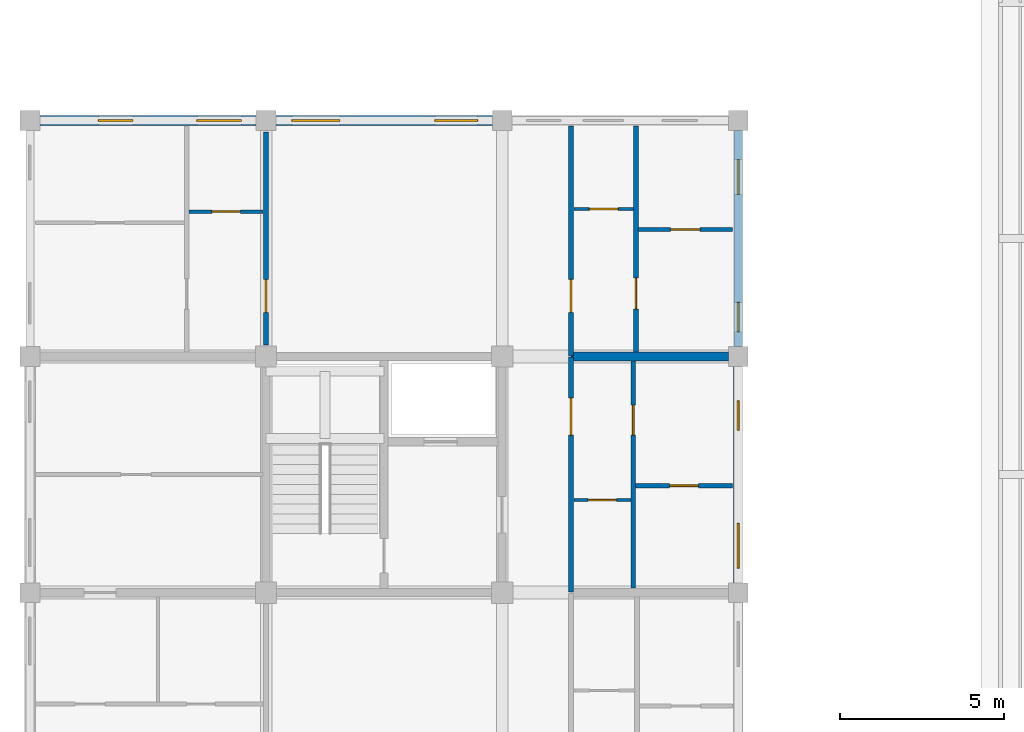
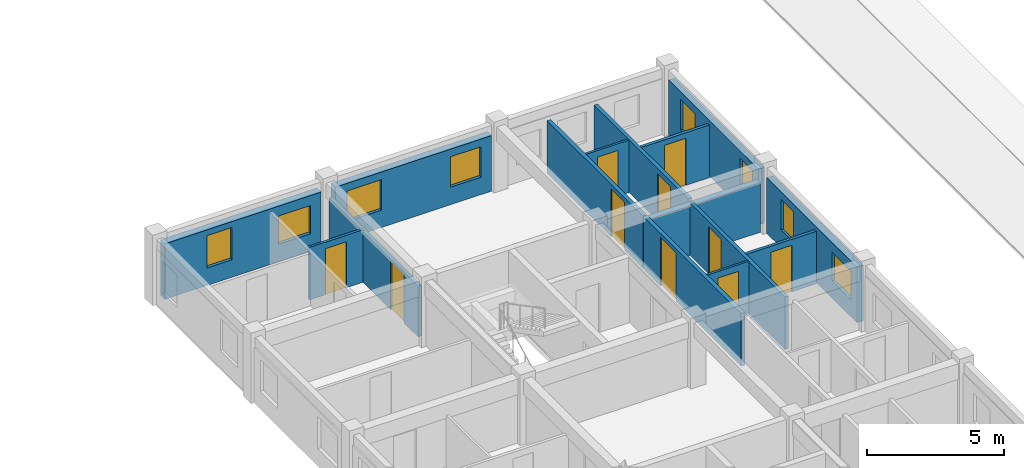
# One storey, part 27 of 50: 15 walls, 10 doors, 8 windows, 18 openings.
"""IFC4 building model written with IfcOpenShell, lengths in metres."""

from ifc_helpers import new_model, si_unit, direction, frame, frame_2d, origin, place, context, subcontext, project, spatial, rectangle, extrude, material, layer, layer_set, type_object, element, fill, save


model = new_model("IFC4")

# Units and contexts
model_context = context("Model", 3, precision=1e-05, world=origin(), true_north=direction((0.0, 1.0)))
body_context = subcontext(model_context, "Body", "Model", "MODEL_VIEW")
ifc_project = project(units=[si_unit("LENGTHUNIT", "METRE"), si_unit("AREAUNIT", "SQUARE_METRE"), si_unit("VOLUMEUNIT", "CUBIC_METRE"), si_unit("PLANEANGLEUNIT", "RADIAN"), si_unit("MASSUNIT", "GRAM", prefix="KILO"), si_unit("THERMODYNAMICTEMPERATUREUNIT", "KELVIN"), si_unit("POWERUNIT", "WATT")], contexts=[model_context])

# Site, building, storey
site_placement = place(None, origin())
site = spatial("IfcSite", under=ifc_project, at=site_placement, CompositionType="ELEMENT")
building_placement = place(site_placement, origin())
building = spatial("IfcBuilding", under=site, at=building_placement, Name="Tavuni Mirador Residences", CompositionType="ELEMENT")
storey_placement = place(building_placement, frame((0.0, 0.0, 4.5)))
storey = spatial("IfcBuildingStorey", under=building, at=storey_placement, Name="L01", CompositionType="ELEMENT", Elevation=4.5)

# Wall, opening, door
ifc_material_1 = material(Name="Precast concrete C40/50", Category="concrete")
ifc_layer_1 = layer(ifc_material_1, 0.1650390625, Name="Precast concrete C40/50", Category="concrete")
ifc_layer_set_1 = layer_set([ifc_layer_1], Name="Precast concrete C40/50")
wall_type_1 = type_object("IfcWallType", Name="WT-CORR165", PredefinedType="PARTITIONING", material=ifc_layer_set_1)
wall_1_placement = place(storey_placement, frame((20.10009765625, 86.419921875, 0.0), z_axis=(0.0, 0.0, 1.0), x_axis=(0.0, 1.0, 0.0)))
wall_1 = element("IfcWall", 1, at=wall_1_placement, inside=storey, type_object=wall_type_1, Name="CORW-BLK-B-L01-0-03", PredefinedType="PARTITIONING", context=body_context, shape_type="SweptSolid", body=[
    extrude(rectangle(XDim=7.16015625, YDim=0.1650390625, at=frame_2d((3.580078125, 0.0))), origin(), (0.0, 0.0, 1.0), 2.344970703125),
])
opening_1_placement = place(wall_1_placement, frame((4.780029296875, 0.0, 0.0)))
opening_1 = element("IfcOpeningElement", 2, at=opening_1_placement, cuts=wall_1, Name="Opening D-20", PredefinedType="OPENING", context=body_context, shape_type="SweptSolid", body=[
    extrude(rectangle(XDim=1.139892578125, YDim=2.179931640625, at=frame_2d((0.56982421875, 1.08984375))), frame((0.0, 0.092529296875, 0.0), z_axis=(0.0, -1.0, 0.0), x_axis=(1.0, 0.0, 0.0)), (0.0, 0.0, 1.0), 0.18505859375),
])
ifc_material_2 = material(Name="Solid core iroko timber", Category="wood")
door_type_1 = type_object("IfcDoorType", Name="DT-FD60-1140", OperationType="NOTDEFINED", PredefinedType="DOOR", material=ifc_material_2)
door_1_placement = place(opening_1_placement, origin())
door_1 = element("IfcDoor", 3, at=door_1_placement, inside=storey, type_object=door_type_1, Name="DR-2540", OperationType="SINGLE_SWING_LEFT", OverallHeight=2.179931640625, OverallWidth=1.139892578125, PredefinedType="DOOR", context=body_context, shape_type="SweptSolid", body=[
    extrude(rectangle(XDim=1.139892578125, YDim=2.179931640625, at=frame_2d((0.56982421875, 1.08984375))), frame((0.0, 0.02490234375, 0.0), z_axis=(0.0, -1.0, 0.0), x_axis=(1.0, 0.0, 0.0)), (0.0, 0.0, 1.0), 0.050048828125),
])
fill(opening_1, door_1)

wall_2_placement = place(storey_placement, frame((20.10009765625, 93.6201171875, 0.0), z_axis=(0.0, 0.0, 1.0), x_axis=(0.0, 1.0, 0.0)))
wall_2 = element("IfcWall", 4, at=wall_2_placement, inside=storey, type_object=wall_type_1, Name="CORW-BLK-B-L01-0-04", PredefinedType="PARTITIONING", context=body_context, shape_type="SweptSolid", body=[
    extrude(rectangle(XDim=7.0048828125, YDim=0.1650390625, at=frame_2d((3.50244140625, 0.0))), origin(), (0.0, 0.0, 1.0), 2.344970703125),
])
opening_2_placement = place(wall_2_placement, frame((1.330078125, 0.0, 0.0)))
opening_2 = element("IfcOpeningElement", 5, at=opening_2_placement, cuts=wall_2, Name="Opening D-03", PredefinedType="OPENING", context=body_context, shape_type="SweptSolid", body=[
    extrude(rectangle(XDim=1.0, YDim=2.14990234375, at=frame_2d((0.5, 1.074951171875))), frame((0.0, 0.092529296875, 0.0), z_axis=(0.0, -1.0, 0.0), x_axis=(1.0, 0.0, 0.0)), (0.0, 0.0, 1.0), 0.18505859375),
])
door_type_2 = type_object("IfcDoorType", Name="DT-FD60-1000", OperationType="NOTDEFINED", PredefinedType="DOOR", material=ifc_material_2)
door_2_placement = place(opening_2_placement, origin())
door_2 = element("IfcDoor", 6, at=door_2_placement, inside=storey, type_object=door_type_2, Name="DR-2541", OperationType="SINGLE_SWING_RIGHT", OverallHeight=2.14990234375, OverallWidth=1.0, PredefinedType="DOOR", context=body_context, shape_type="SweptSolid", body=[
    extrude(rectangle(XDim=1.0, YDim=2.14990234375, at=frame_2d((0.5, 1.074951171875))), frame((0.0, 0.02490234375, 0.0), z_axis=(0.0, -1.0, 0.0), x_axis=(1.0, 0.0, 0.0)), (0.0, 0.0, 1.0), 0.050048828125),
])
fill(opening_2, door_2)

wall_3_placement = place(storey_placement, frame((10.800048828125, 93.949951171875, 0.0), z_axis=(0.0, 0.0, 1.0), x_axis=(0.0, 1.0, 0.0)))
wall_3 = element("IfcWall", 7, at=wall_3_placement, inside=storey, type_object=wall_type_1, Name="CORW-BLK-B-L01-1-04", PredefinedType="PARTITIONING", context=body_context, shape_type="SweptSolid", body=[
    extrude(rectangle(XDim=6.5, YDim=0.1650390625, at=frame_2d((3.25, 0.0))), origin(), (0.0, 0.0, 1.0), 2.260009765625),
])
opening_3_placement = place(wall_3_placement, frame((1.0, 0.0, 0.0)))
opening_3 = element("IfcOpeningElement", 8, at=opening_3_placement, cuts=wall_3, Name="Opening D-03", PredefinedType="OPENING", context=body_context, shape_type="SweptSolid", body=[
    extrude(rectangle(XDim=1.0, YDim=2.14990234375, at=frame_2d((0.5, 1.074951171875))), frame((0.0, 0.092529296875, 0.0), z_axis=(0.0, -1.0, 0.0), x_axis=(1.0, 0.0, 0.0)), (0.0, 0.0, 1.0), 0.18505859375),
])
door_3_placement = place(opening_3_placement, origin())
door_3 = element("IfcDoor", 9, at=door_3_placement, inside=storey, type_object=door_type_2, Name="DR-2544", OperationType="SINGLE_SWING_LEFT", OverallHeight=2.14990234375, OverallWidth=1.0, PredefinedType="DOOR", context=body_context, shape_type="SweptSolid", body=[
    extrude(rectangle(XDim=1.0, YDim=2.14990234375, at=frame_2d((0.5, 1.074951171875))), frame((0.0, 0.02490234375, 0.0), z_axis=(0.0, -1.0, 0.0), x_axis=(1.0, 0.0, 0.0)), (0.0, 0.0, 1.0), 0.050048828125),
])
fill(opening_3, door_3)

# Wall, openings, windows
ifc_material_3 = material(Name="Sgraffito lime-rendered precast concrete C40/50", Category="concrete")
ifc_layer_2 = layer(ifc_material_3, 0.2548828125, Name="Sgraffito lime-rendered precast concrete C40/50", Category="concrete")
ifc_layer_set_2 = layer_set([ifc_layer_2], Name="Sgraffito lime-rendered precast concrete C40/50")
wall_type_2 = type_object("IfcWallType", Name="WT-EXT-PC255", PredefinedType="SOLIDWALL", material=ifc_layer_set_2)
wall_4_placement = place(storey_placement, frame((25.199951171875, 93.89990234375, 0.0), z_axis=(0.0, 0.0, 1.0), x_axis=(0.0, 1.0, 0.0)))
wall_4 = element("IfcWall", 10, at=wall_4_placement, inside=storey, type_object=wall_type_2, Name="EW-BLK-B-L01-E04", PredefinedType="SOLIDWALL", context=body_context, shape_type="SweptSolid", body=[
    extrude(rectangle(XDim=6.60009765625, YDim=0.2548828125, at=frame_2d((3.300048828125, 0.0))), origin(), (0.0, 0.0, 1.0), 2.47998046875),
])
opening_4_placement = place(wall_4_placement, frame((0.449951171875, 0.0, 0.780029296875)))
opening_4 = element("IfcOpeningElement", 11, at=opening_4_placement, cuts=wall_4, Name="Opening WN-17", PredefinedType="OPENING", context=body_context, shape_type="SweptSolid", body=[
    extrude(rectangle(XDim=0.89990234375, YDim=1.360107421875, at=frame_2d((0.449951171875, 0.68017578125))), frame((0.0, 0.137451171875, 0.0), z_axis=(0.0, -1.0, 0.0), x_axis=(1.0, 0.0, 0.0)), (0.0, 0.0, 1.0), 0.27490234375),
])
opening_5_placement = place(wall_4_placement, frame((4.64990234375, 0.0, 0.780029296875)))
opening_5 = element("IfcOpeningElement", 12, at=opening_5_placement, cuts=wall_4, Name="Opening WN-19", PredefinedType="OPENING", context=body_context, shape_type="SweptSolid", body=[
    extrude(rectangle(XDim=1.06005859375, YDim=1.360107421875, at=frame_2d((0.530029296875, 0.68017578125))), frame((0.0, 0.137451171875, 0.0), z_axis=(0.0, -1.0, 0.0), x_axis=(1.0, 0.0, 0.0)), (0.0, 0.0, 1.0), 0.27490234375),
])
ifc_material_4 = material(Name="Laminated solar-control glass", Category="glass")
window_type_1 = type_object("IfcWindowType", Name="WNT-17", PartitioningType="SINGLE_PANEL", PredefinedType="WINDOW", material=ifc_material_4)
window_1_placement = place(opening_4_placement, origin())
window_1 = element("IfcWindow", 13, at=window_1_placement, inside=storey, type_object=window_type_1, Name="WIN-0585", OverallHeight=1.360107421875, OverallWidth=0.89990234375, PartitioningType="SINGLE_PANEL", PredefinedType="WINDOW", context=body_context, shape_type="SweptSolid", body=[
    extrude(rectangle(XDim=0.89990234375, YDim=1.360107421875, at=frame_2d((0.449951171875, 0.68017578125))), frame((0.0, 0.030029296875, 0.0), z_axis=(0.0, -1.0, 0.0), x_axis=(1.0, 0.0, 0.0)), (0.0, 0.0, 1.0), 0.06005859375),
])
fill(opening_4, window_1)
window_type_2 = type_object("IfcWindowType", Name="WNT-19", PartitioningType="SINGLE_PANEL", PredefinedType="WINDOW", material=ifc_material_4)
window_2_placement = place(opening_5_placement, origin())
window_2 = element("IfcWindow", 14, at=window_2_placement, inside=storey, type_object=window_type_2, Name="WIN-0586", OverallHeight=1.360107421875, OverallWidth=1.06005859375, PartitioningType="SINGLE_PANEL", PredefinedType="WINDOW", context=body_context, shape_type="SweptSolid", body=[
    extrude(rectangle(XDim=1.06005859375, YDim=1.360107421875, at=frame_2d((0.530029296875, 0.68017578125))), frame((0.0, 0.030029296875, 0.0), z_axis=(0.0, -1.0, 0.0), x_axis=(1.0, 0.0, 0.0)), (0.0, 0.0, 1.0), 0.06005859375),
])
fill(opening_5, window_2)

ifc_layer_3 = layer(ifc_material_3, 0.27490234375, Name="Sgraffito lime-rendered precast concrete C40/50", Category="concrete")
ifc_layer_set_3 = layer_set([ifc_layer_3], Name="Sgraffito lime-rendered precast concrete C40/50")
wall_type_3 = type_object("IfcWallType", Name="WT-EXT-PC275", PredefinedType="SOLIDWALL", material=ifc_layer_set_3)
wall_5_placement = place(storey_placement, frame((25.199951171875, 86.699951171875, 0.0), z_axis=(0.0, 0.0, 1.0), x_axis=(0.0, 1.0, 0.0)))
wall_5 = element("IfcWall", 15, at=wall_5_placement, inside=storey, type_object=wall_type_3, Name="EW-BLK-B-L01-E03", PredefinedType="SOLIDWALL", context=body_context, shape_type="SweptSolid", body=[
    extrude(rectangle(XDim=6.60009765625, YDim=0.27490234375, at=frame_2d((3.300048828125, 0.0))), origin(), (0.0, 0.0, 1.0), 2.47998046875),
])
opening_6_placement = place(wall_5_placement, frame((0.449951171875, 0.0, 0.780029296875)))
opening_6 = element("IfcOpeningElement", 16, at=opening_6_placement, cuts=wall_5, Name="Opening WN-15", PredefinedType="OPENING", context=body_context, shape_type="SweptSolid", body=[
    extrude(rectangle(XDim=1.360107421875, YDim=1.260009765625, at=frame_2d((0.68017578125, 0.6298828125))), frame((0.0, 0.1474609375, 0.0), z_axis=(0.0, -1.0, 0.0), x_axis=(1.0, 0.0, 0.0)), (0.0, 0.0, 1.0), 0.294921875),
])
opening_7_placement = place(wall_5_placement, frame((4.64990234375, 0.0, 0.780029296875)))
opening_7 = element("IfcOpeningElement", 17, at=opening_7_placement, cuts=wall_5, Name="Opening WN-17", PredefinedType="OPENING", context=body_context, shape_type="SweptSolid", body=[
    extrude(rectangle(XDim=0.89990234375, YDim=1.360107421875, at=frame_2d((0.449951171875, 0.68017578125))), frame((0.0, 0.1474609375, 0.0), z_axis=(0.0, -1.0, 0.0), x_axis=(1.0, 0.0, 0.0)), (0.0, 0.0, 1.0), 0.294921875),
])
window_type_3 = type_object("IfcWindowType", Name="WNT-15", PartitioningType="SINGLE_PANEL", PredefinedType="WINDOW", material=ifc_material_4)
window_3_placement = place(opening_6_placement, origin())
window_3 = element("IfcWindow", 18, at=window_3_placement, inside=storey, type_object=window_type_3, Name="WIN-0583", OverallHeight=1.260009765625, OverallWidth=1.360107421875, PartitioningType="SINGLE_PANEL", PredefinedType="WINDOW", context=body_context, shape_type="SweptSolid", body=[
    extrude(rectangle(XDim=1.360107421875, YDim=1.260009765625, at=frame_2d((0.68017578125, 0.6298828125))), frame((0.0, 0.030029296875, 0.0), z_axis=(0.0, -1.0, 0.0), x_axis=(1.0, 0.0, 0.0)), (0.0, 0.0, 1.0), 0.06005859375),
])
fill(opening_6, window_3)
window_4_placement = place(opening_7_placement, origin())
window_4 = element("IfcWindow", 19, at=window_4_placement, inside=storey, type_object=window_type_1, Name="WIN-0584", OverallHeight=1.360107421875, OverallWidth=0.89990234375, PartitioningType="SINGLE_PANEL", PredefinedType="WINDOW", context=body_context, shape_type="SweptSolid", body=[
    extrude(rectangle(XDim=0.89990234375, YDim=1.360107421875, at=frame_2d((0.449951171875, 0.68017578125))), frame((0.0, 0.030029296875, 0.0), z_axis=(0.0, -1.0, 0.0), x_axis=(1.0, 0.0, 0.0)), (0.0, 0.0, 1.0), 0.06005859375),
])
fill(opening_7, window_4)

ifc_layer_4 = layer(ifc_material_3, 0.304931640625, Name="Sgraffito lime-rendered precast concrete C40/50", Category="concrete")
ifc_layer_set_4 = layer_set([ifc_layer_4], Name="Sgraffito lime-rendered precast concrete C40/50")
wall_type_4 = type_object("IfcWallType", Name="WT-EXT-PC305", PredefinedType="SOLIDWALL", material=ifc_layer_set_4)
wall_6_placement = place(storey_placement, frame((17.699951171875, 100.800048828125, 0.0), z_axis=(0.0, 0.0, 1.0), x_axis=(-1.0, 0.0, 0.0)))
wall_6 = element("IfcWall", 20, at=wall_6_placement, inside=storey, type_object=wall_type_4, Name="EW-BLK-B-L01-N01", PredefinedType="SOLIDWALL", context=body_context, shape_type="SweptSolid", body=[
    extrude(rectangle(XDim=6.599853515625, YDim=0.304931640625, at=frame_2d((3.2998046875, 0.0))), origin(), (0.0, 0.0, 1.0), 2.47998046875),
])
opening_8_placement = place(wall_6_placement, frame((0.449951171875, 0.0, 0.780029296875)))
opening_8 = element("IfcOpeningElement", 21, at=opening_8_placement, cuts=wall_6, Name="Opening WN-22", PredefinedType="OPENING", context=body_context, shape_type="SweptSolid", body=[
    extrude(rectangle(XDim=1.300048828125, YDim=1.360107421875, at=frame_2d((0.64990234375, 0.68017578125))), frame((0.0, 0.16259765625, 0.0), z_axis=(0.0, -1.0, 0.0), x_axis=(1.0, 0.0, 0.0)), (0.0, 0.0, 1.0), 0.324951171875),
])
opening_9_placement = place(wall_6_placement, frame((4.64990234375, 0.0, 0.780029296875)))
opening_9 = element("IfcOpeningElement", 22, at=opening_9_placement, cuts=wall_6, Name="Opening WN-24", PredefinedType="OPENING", context=body_context, shape_type="SweptSolid", body=[
    extrude(rectangle(XDim=1.4599609375, YDim=1.360107421875, at=frame_2d((0.72998046875, 0.68017578125))), frame((0.0, 0.16259765625, 0.0), z_axis=(0.0, -1.0, 0.0), x_axis=(1.0, 0.0, 0.0)), (0.0, 0.0, 1.0), 0.324951171875),
])
window_type_4 = type_object("IfcWindowType", Name="WNT-22", PartitioningType="SINGLE_PANEL", PredefinedType="WINDOW", material=ifc_material_4)
window_5_placement = place(opening_8_placement, origin())
window_5 = element("IfcWindow", 23, at=window_5_placement, inside=storey, type_object=window_type_4, Name="WIN-0590", OverallHeight=1.360107421875, OverallWidth=1.300048828125, PartitioningType="SINGLE_PANEL", PredefinedType="WINDOW", context=body_context, shape_type="SweptSolid", body=[
    extrude(rectangle(XDim=1.300048828125, YDim=1.360107421875, at=frame_2d((0.64990234375, 0.68017578125))), frame((0.0, 0.030029296875, 0.0), z_axis=(0.0, -1.0, 0.0), x_axis=(1.0, 0.0, 0.0)), (0.0, 0.0, 1.0), 0.06005859375),
])
fill(opening_8, window_5)
window_type_5 = type_object("IfcWindowType", Name="WNT-24", PartitioningType="SINGLE_PANEL", PredefinedType="WINDOW", material=ifc_material_4)
window_6_placement = place(opening_9_placement, origin())
window_6 = element("IfcWindow", 24, at=window_6_placement, inside=storey, type_object=window_type_5, Name="WIN-0591", OverallHeight=1.360107421875, OverallWidth=1.4599609375, PartitioningType="SINGLE_PANEL", PredefinedType="WINDOW", context=body_context, shape_type="SweptSolid", body=[
    extrude(rectangle(XDim=1.4599609375, YDim=1.360107421875, at=frame_2d((0.72998046875, 0.68017578125))), frame((0.0, 0.030029296875, 0.0), z_axis=(0.0, -1.0, 0.0), x_axis=(1.0, 0.0, 0.0)), (0.0, 0.0, 1.0), 0.06005859375),
])
fill(opening_9, window_6)

ifc_layer_5 = layer(ifc_material_3, 0.31494140625, Name="Sgraffito lime-rendered precast concrete C40/50", Category="concrete")
ifc_layer_set_5 = layer_set([ifc_layer_5], Name="Sgraffito lime-rendered precast concrete C40/50")
wall_type_5 = type_object("IfcWallType", Name="WT-EXT-PC315", PredefinedType="SOLIDWALL", material=ifc_layer_set_5)
wall_7_placement = place(storey_placement, frame((10.5, 100.800048828125, 0.0), z_axis=(0.0, 0.0, 1.0), x_axis=(-1.0, 0.0, 0.0)))
wall_7 = element("IfcWall", 25, at=wall_7_placement, inside=storey, type_object=wall_type_5, Name="EW-BLK-B-L01-N00", PredefinedType="SOLIDWALL", context=body_context, shape_type="SweptSolid", body=[
    extrude(rectangle(XDim=6.60009765625, YDim=0.31494140625, at=frame_2d((3.300048828125, 0.0))), origin(), (0.0, 0.0, 1.0), 2.47998046875),
])
opening_10_placement = place(wall_7_placement, frame((0.449951171875, 0.0, 0.780029296875)))
opening_10 = element("IfcOpeningElement", 26, at=opening_10_placement, cuts=wall_7, Name="Opening WN-15", PredefinedType="OPENING", context=body_context, shape_type="SweptSolid", body=[
    extrude(rectangle(XDim=1.360107421875, YDim=1.260009765625, at=frame_2d((0.68017578125, 0.6298828125))), frame((0.0, 0.16748046875, 0.0), z_axis=(0.0, -1.0, 0.0), x_axis=(1.0, 0.0, 0.0)), (0.0, 0.0, 1.0), 0.3349609375),
])
opening_11_placement = place(wall_7_placement, frame((3.764892578125, 0.0, 0.780029296875)))
opening_11 = element("IfcOpeningElement", 27, at=opening_11_placement, cuts=wall_7, Name="Opening WN-26", PredefinedType="OPENING", context=body_context, shape_type="SweptSolid", body=[
    extrude(rectangle(XDim=1.050048828125, YDim=1.43994140625, at=frame_2d((0.52490234375, 0.719970703125))), frame((0.0, 0.16748046875, 0.0), z_axis=(0.0, -1.0, 0.0), x_axis=(1.0, 0.0, 0.0)), (0.0, 0.0, 1.0), 0.3349609375),
])
window_7_placement = place(opening_10_placement, origin())
window_7 = element("IfcWindow", 28, at=window_7_placement, inside=storey, type_object=window_type_3, Name="WIN-0592", OverallHeight=1.260009765625, OverallWidth=1.360107421875, PartitioningType="SINGLE_PANEL", PredefinedType="WINDOW", context=body_context, shape_type="SweptSolid", body=[
    extrude(rectangle(XDim=1.360107421875, YDim=1.260009765625, at=frame_2d((0.68017578125, 0.6298828125))), frame((0.0, 0.030029296875, 0.0), z_axis=(0.0, -1.0, 0.0), x_axis=(1.0, 0.0, 0.0)), (0.0, 0.0, 1.0), 0.06005859375),
])
fill(opening_10, window_7)
window_type_6 = type_object("IfcWindowType", Name="WNT-26", PartitioningType="SINGLE_PANEL", PredefinedType="WINDOW", material=ifc_material_4)
window_8_placement = place(opening_11_placement, origin())
window_8 = element("IfcWindow", 29, at=window_8_placement, inside=storey, type_object=window_type_6, Name="WIN-0593", OverallHeight=1.43994140625, OverallWidth=1.050048828125, PartitioningType="SINGLE_PANEL", PredefinedType="WINDOW", context=body_context, shape_type="SweptSolid", body=[
    extrude(rectangle(XDim=1.050048828125, YDim=1.43994140625, at=frame_2d((0.52490234375, 0.719970703125))), frame((0.0, 0.030029296875, 0.0), z_axis=(0.0, -1.0, 0.0), x_axis=(1.0, 0.0, 0.0)), (0.0, 0.0, 1.0), 0.06005859375),
])
fill(opening_11, window_8)

# Wall, opening, door
ifc_material_5 = material(Name="Acoustic gypsum and concrete block partition", Category="concrete")
ifc_layer_6 = layer(ifc_material_5, 0.094970703125, Name="Acoustic gypsum and concrete block partition", Category="concrete")
ifc_layer_set_6 = layer_set([ifc_layer_6], Name="Acoustic gypsum and concrete block partition")
wall_type_6 = type_object("IfcWallType", Name="WT-PART095", PredefinedType="PARTITIONING", material=ifc_layer_set_6)
wall_8_placement = place(storey_placement, frame((20.18994140625, 89.219970703125, 0.0), z_axis=(0.0, 0.0, 1.0), x_axis=(1.0, 0.0, 0.0)))
wall_8 = element("IfcWall", 30, at=wall_8_placement, inside=storey, type_object=wall_type_6, Name="PW-BLK-B-L01-E03-IN1", PredefinedType="PARTITIONING", context=body_context, shape_type="SweptSolid", body=[
    extrude(rectangle(XDim=1.739990234375, YDim=0.094970703125, at=frame_2d((0.8701171875, 0.0))), origin(), (0.0, 0.0, 1.0), 2.344970703125),
])
opening_12_placement = place(wall_8_placement, frame((0.43505859375, 0.0, 0.0)))
opening_12 = element("IfcOpeningElement", 31, at=opening_12_placement, cuts=wall_8, Name="Opening D-10", PredefinedType="OPENING", context=body_context, shape_type="SweptSolid", body=[
    extrude(rectangle(XDim=0.8701171875, YDim=2.050048828125, at=frame_2d((0.43505859375, 1.02490234375))), frame((0.0, 0.0576171875, 0.0), z_axis=(0.0, -1.0, 0.0), x_axis=(1.0, 0.0, 0.0)), (0.0, 0.0, 1.0), 0.114990234375),
])
door_type_3 = type_object("IfcDoorType", Name="DT-WC870", OperationType="NOTDEFINED", PredefinedType="DOOR", material=ifc_material_2)
door_4_placement = place(opening_12_placement, origin())
door_4 = element("IfcDoor", 32, at=door_4_placement, inside=storey, type_object=door_type_3, Name="DR-3464", OperationType="SINGLE_SWING_LEFT", OverallHeight=2.050048828125, OverallWidth=0.8701171875, PredefinedType="DOOR", context=body_context, shape_type="SweptSolid", body=[
    extrude(rectangle(XDim=0.8701171875, YDim=2.050048828125, at=frame_2d((0.43505859375, 1.02490234375))), frame((0.0, 0.02490234375, 0.0), z_axis=(0.0, -1.0, 0.0), x_axis=(1.0, 0.0, 0.0)), (0.0, 0.0, 1.0), 0.050048828125),
])
fill(opening_12, door_4)

wall_9_placement = place(storey_placement, frame((20.18994140625, 98.10009765625, 0.0), z_axis=(0.0, 0.0, 1.0), x_axis=(1.0, 0.0, 0.0)))
wall_9 = element("IfcWall", 33, at=wall_9_placement, inside=storey, type_object=wall_type_6, Name="PW-BLK-B-L01-E04-IN1", PredefinedType="PARTITIONING", context=body_context, shape_type="SweptSolid", body=[
    extrude(rectangle(XDim=1.820068359375, YDim=0.094970703125, at=frame_2d((0.91015625, 0.0))), origin(), (0.0, 0.0, 1.0), 2.344970703125),
])
opening_13_placement = place(wall_9_placement, frame((0.47509765625, 0.0, 0.0)))
opening_13 = element("IfcOpeningElement", 34, at=opening_13_placement, cuts=wall_9, Name="Opening D-10", PredefinedType="OPENING", context=body_context, shape_type="SweptSolid", body=[
    extrude(rectangle(XDim=0.8701171875, YDim=2.050048828125, at=frame_2d((0.43505859375, 1.02490234375))), frame((0.0, 0.0576171875, 0.0), z_axis=(0.0, -1.0, 0.0), x_axis=(1.0, 0.0, 0.0)), (0.0, 0.0, 1.0), 0.114990234375),
])
door_5_placement = place(opening_13_placement, origin())
door_5 = element("IfcDoor", 35, at=door_5_placement, inside=storey, type_object=door_type_3, Name="DR-3470", OperationType="SINGLE_SWING_RIGHT", OverallHeight=2.050048828125, OverallWidth=0.8701171875, PredefinedType="DOOR", context=body_context, shape_type="SweptSolid", body=[
    extrude(rectangle(XDim=0.8701171875, YDim=2.050048828125, at=frame_2d((0.43505859375, 1.02490234375))), frame((0.0, 0.02490234375, 0.0), z_axis=(0.0, -1.0, 0.0), x_axis=(1.0, 0.0, 0.0)), (0.0, 0.0, 1.0), 0.050048828125),
])
fill(opening_13, door_5)

ifc_layer_7 = layer(ifc_material_5, 0.10498046875, Name="Acoustic gypsum and concrete block partition", Category="concrete")
ifc_layer_set_7 = layer_set([ifc_layer_7], Name="Acoustic gypsum and concrete block partition")
wall_type_7 = type_object("IfcWallType", Name="WT-PART105", PredefinedType="PARTITIONING", material=ifc_layer_set_7)
wall_10_placement = place(storey_placement, frame((8.449951171875, 98.02001953125, 0.0), z_axis=(0.0, 0.0, 1.0), x_axis=(1.0, 0.0, 0.0)))
wall_10 = element("IfcWall", 36, at=wall_10_placement, inside=storey, type_object=wall_type_7, Name="PW-BLK-B-L01-W04-IN1", PredefinedType="PARTITIONING", context=body_context, shape_type="SweptSolid", body=[
    extrude(rectangle(XDim=2.260009765625, YDim=0.10498046875, at=frame_2d((1.1298828125, 0.0))), origin(), (0.0, 0.0, 1.0), 2.344970703125),
])
opening_14_placement = place(wall_10_placement, frame((0.695068359375, 0.0, 0.0)))
opening_14 = element("IfcOpeningElement", 37, at=opening_14_placement, cuts=wall_10, Name="Opening D-10", PredefinedType="OPENING", context=body_context, shape_type="SweptSolid", body=[
    extrude(rectangle(XDim=0.8701171875, YDim=2.050048828125, at=frame_2d((0.43505859375, 1.02490234375))), frame((0.0, 0.0625, 0.0), z_axis=(0.0, -1.0, 0.0), x_axis=(1.0, 0.0, 0.0)), (0.0, 0.0, 1.0), 0.125),
])
door_6_placement = place(opening_14_placement, origin())
door_6 = element("IfcDoor", 38, at=door_6_placement, inside=storey, type_object=door_type_3, Name="DR-3467", OperationType="SINGLE_SWING_LEFT", OverallHeight=2.050048828125, OverallWidth=0.8701171875, PredefinedType="DOOR", context=body_context, shape_type="SweptSolid", body=[
    extrude(rectangle(XDim=0.8701171875, YDim=2.050048828125, at=frame_2d((0.43505859375, 1.02490234375))), frame((0.0, 0.02490234375, 0.0), z_axis=(0.0, -1.0, 0.0), x_axis=(1.0, 0.0, 0.0)), (0.0, 0.0, 1.0), 0.050048828125),
])
fill(opening_14, door_6)

ifc_layer_8 = layer(ifc_material_5, 0.125, Name="Acoustic gypsum and concrete block partition", Category="concrete")
ifc_layer_set_8 = layer_set([ifc_layer_8], Name="Acoustic gypsum and concrete block partition")
wall_type_8 = type_object("IfcWallType", Name="WT-PART125", PredefinedType="PARTITIONING", material=ifc_layer_set_8)
wall_11_placement = place(storey_placement, frame((22.070068359375, 89.659912109375, 0.0), z_axis=(0.0, 0.0, 1.0), x_axis=(1.0, 0.0, 0.0)))
wall_11 = element("IfcWall", 39, at=wall_11_placement, inside=storey, type_object=wall_type_8, Name="PW-BLK-B-L01-E03-OUT", PredefinedType="PARTITIONING", context=body_context, shape_type="SweptSolid", body=[
    extrude(rectangle(XDim=2.954833984375, YDim=0.125, at=frame_2d((1.4775390625, 0.0))), origin(), (0.0, 0.0, 1.0), 2.344970703125),
])
opening_15_placement = place(wall_11_placement, frame((1.03759765625, 0.0, 0.0)))
opening_15 = element("IfcOpeningElement", 40, at=opening_15_placement, cuts=wall_11, Name="Opening D-08", PredefinedType="OPENING", context=body_context, shape_type="SweptSolid", body=[
    extrude(rectangle(XDim=0.8798828125, YDim=2.080078125, at=frame_2d((0.43994140625, 1.0400390625))), frame((0.0, 0.072509765625, 0.0), z_axis=(0.0, -1.0, 0.0), x_axis=(1.0, 0.0, 0.0)), (0.0, 0.0, 1.0), 0.14501953125),
])
door_type_4 = type_object("IfcDoorType", Name="DT-BED880", OperationType="NOTDEFINED", PredefinedType="DOOR", material=ifc_material_2)
door_7_placement = place(opening_15_placement, origin())
door_7 = element("IfcDoor", 41, at=door_7_placement, inside=storey, type_object=door_type_4, Name="DR-3463", OperationType="SINGLE_SWING_RIGHT", OverallHeight=2.080078125, OverallWidth=0.8798828125, PredefinedType="DOOR", context=body_context, shape_type="SweptSolid", body=[
    extrude(rectangle(XDim=0.8798828125, YDim=2.080078125, at=frame_2d((0.43994140625, 1.0400390625))), frame((0.0, 0.02490234375, 0.0), z_axis=(0.0, -1.0, 0.0), x_axis=(1.0, 0.0, 0.0)), (0.0, 0.0, 1.0), 0.050048828125),
])
fill(opening_15, door_7)

wall_12_placement = place(storey_placement, frame((22.14990234375, 97.47998046875, 0.0), z_axis=(0.0, 0.0, 1.0), x_axis=(1.0, 0.0, 0.0)))
wall_12 = element("IfcWall", 42, at=wall_12_placement, inside=storey, type_object=wall_type_8, Name="PW-BLK-B-L01-E04-OUT", PredefinedType="PARTITIONING", context=body_context, shape_type="SweptSolid", body=[
    extrude(rectangle(XDim=2.875, YDim=0.125, at=frame_2d((1.4375, 0.0))), origin(), (0.0, 0.0, 1.0), 2.344970703125),
])
opening_16_placement = place(wall_12_placement, frame((0.987548828125, 0.0, 0.0)))
opening_16 = element("IfcOpeningElement", 43, at=opening_16_placement, cuts=wall_12, Name="Opening D-07", PredefinedType="OPENING", context=body_context, shape_type="SweptSolid", body=[
    extrude(rectangle(XDim=0.89990234375, YDim=2.10009765625, at=frame_2d((0.449951171875, 1.050048828125))), frame((0.0, 0.072509765625, 0.0), z_axis=(0.0, -1.0, 0.0), x_axis=(1.0, 0.0, 0.0)), (0.0, 0.0, 1.0), 0.14501953125),
])
door_type_5 = type_object("IfcDoorType", Name="DT-BED900", OperationType="NOTDEFINED", PredefinedType="DOOR", material=ifc_material_2)
door_8_placement = place(opening_16_placement, origin())
door_8 = element("IfcDoor", 44, at=door_8_placement, inside=storey, type_object=door_type_5, Name="DR-3469", OperationType="SINGLE_SWING_LEFT", OverallHeight=2.10009765625, OverallWidth=0.89990234375, PredefinedType="DOOR", context=body_context, shape_type="SweptSolid", body=[
    extrude(rectangle(XDim=0.89990234375, YDim=2.10009765625, at=frame_2d((0.449951171875, 1.050048828125))), frame((0.0, 0.02490234375, 0.0), z_axis=(0.0, -1.0, 0.0), x_axis=(1.0, 0.0, 0.0)), (0.0, 0.0, 1.0), 0.050048828125),
])
fill(opening_16, door_8)

ifc_layer_9 = layer(ifc_material_5, 0.14990234375, Name="Acoustic gypsum and concrete block partition", Category="concrete")
ifc_layer_set_9 = layer_set([ifc_layer_9], Name="Acoustic gypsum and concrete block partition")
wall_type_9 = type_object("IfcWallType", Name="WT-PART150", PredefinedType="PARTITIONING", material=ifc_layer_set_9)
wall_13_placement = place(storey_placement, frame((22.0, 86.5400390625, 0.0), z_axis=(0.0, 0.0, 1.0), x_axis=(0.0, 1.0, 0.0)))
wall_13 = element("IfcWall", 45, at=wall_13_placement, inside=storey, type_object=wall_type_9, Name="PW-BLK-B-L01-E03-MID", PredefinedType="PARTITIONING", context=body_context, shape_type="SweptSolid", body=[
    extrude(rectangle(XDim=6.919921875, YDim=0.14990234375, at=frame_2d((3.4599609375, 0.0))), origin(), (0.0, 0.0, 1.0), 2.344970703125),
])
opening_17_placement = place(wall_13_placement, frame((4.659912109375, 0.0, 0.0)))
opening_17 = element("IfcOpeningElement", 46, at=opening_17_placement, cuts=wall_13, Name="Opening D-06", PredefinedType="OPENING", context=body_context, shape_type="SweptSolid", body=[
    extrude(rectangle(XDim=0.919921875, YDim=2.10009765625, at=frame_2d((0.4599609375, 1.050048828125))), frame((0.0, 0.0849609375, 0.0), z_axis=(0.0, -1.0, 0.0), x_axis=(1.0, 0.0, 0.0)), (0.0, 0.0, 1.0), 0.169921875),
])
door_type_6 = type_object("IfcDoorType", Name="DT-INT920", OperationType="NOTDEFINED", PredefinedType="DOOR", material=ifc_material_2)
door_9_placement = place(opening_17_placement, origin())
door_9 = element("IfcDoor", 47, at=door_9_placement, inside=storey, type_object=door_type_6, Name="DR-3465", OperationType="SINGLE_SWING_RIGHT", OverallHeight=2.10009765625, OverallWidth=0.919921875, PredefinedType="DOOR", context=body_context, shape_type="SweptSolid", body=[
    extrude(rectangle(XDim=0.919921875, YDim=2.10009765625, at=frame_2d((0.4599609375, 1.050048828125))), frame((0.0, 0.02490234375, 0.0), z_axis=(0.0, -1.0, 0.0), x_axis=(1.0, 0.0, 0.0)), (0.0, 0.0, 1.0), 0.050048828125),
])
fill(opening_17, door_9)

wall_14_placement = place(storey_placement, frame((22.080078125, 93.739990234375, 0.0), z_axis=(0.0, 0.0, 1.0), x_axis=(0.0, 1.0, 0.0)))
wall_14 = element("IfcWall", 48, at=wall_14_placement, inside=storey, type_object=wall_type_9, Name="PW-BLK-B-L01-E04-MID", PredefinedType="PARTITIONING", context=body_context, shape_type="SweptSolid", body=[
    extrude(rectangle(XDim=6.885009765625, YDim=0.14990234375, at=frame_2d((3.4423828125, 0.0))), origin(), (0.0, 0.0, 1.0), 2.344970703125),
])
opening_18_placement = place(wall_14_placement, frame((1.31005859375, 0.0, 0.0)))
opening_18 = element("IfcOpeningElement", 49, at=opening_18_placement, cuts=wall_14, Name="Opening D-05", PredefinedType="OPENING", context=body_context, shape_type="SweptSolid", body=[
    extrude(rectangle(XDim=0.949951171875, YDim=2.10009765625, at=frame_2d((0.47509765625, 1.050048828125))), frame((0.0, 0.0849609375, 0.0), z_axis=(0.0, -1.0, 0.0), x_axis=(1.0, 0.0, 0.0)), (0.0, 0.0, 1.0), 0.169921875),
])
door_type_7 = type_object("IfcDoorType", Name="DT-INT950", OperationType="NOTDEFINED", PredefinedType="DOOR", material=ifc_material_2)
door_10_placement = place(opening_18_placement, origin())
door_10 = element("IfcDoor", 50, at=door_10_placement, inside=storey, type_object=door_type_7, Name="DR-3471", OperationType="SINGLE_SWING_LEFT", OverallHeight=2.10009765625, OverallWidth=0.949951171875, PredefinedType="DOOR", context=body_context, shape_type="SweptSolid", body=[
    extrude(rectangle(XDim=0.949951171875, YDim=2.10009765625, at=frame_2d((0.47509765625, 1.050048828125))), frame((0.0, 0.02490234375, 0.0), z_axis=(0.0, -1.0, 0.0), x_axis=(1.0, 0.0, 0.0)), (0.0, 0.0, 1.0), 0.050048828125),
])
fill(opening_18, door_10)

# Wall
ifc_layer_10 = layer(ifc_material_1, 0.264892578125, Name="Precast concrete C40/50", Category="concrete")
ifc_layer_set_10 = layer_set([ifc_layer_10], Name="Precast concrete C40/50")
wall_type_10 = type_object("IfcWallType", Name="WT-XW265", PredefinedType="SOLIDWALL", material=ifc_layer_set_10)
wall_15_placement = place(storey_placement, frame((20.10009765625, 93.60009765625, 0.0), z_axis=(0.0, 0.0, 1.0), x_axis=(1.0, 0.0, 0.0)))
element("IfcWall", 51, at=wall_15_placement, inside=storey, type_object=wall_type_10, Name="XW-BLK-B-L01-E-04", PredefinedType="SOLIDWALL", context=body_context, shape_type="SweptSolid", body=[
    extrude(rectangle(XDim=4.7998046875, YDim=0.264892578125, at=frame_2d((2.39990234375, 0.0))), origin(), (0.0, 0.0, 1.0), 2.2099609375),
])

save(model, "model.ifc")
